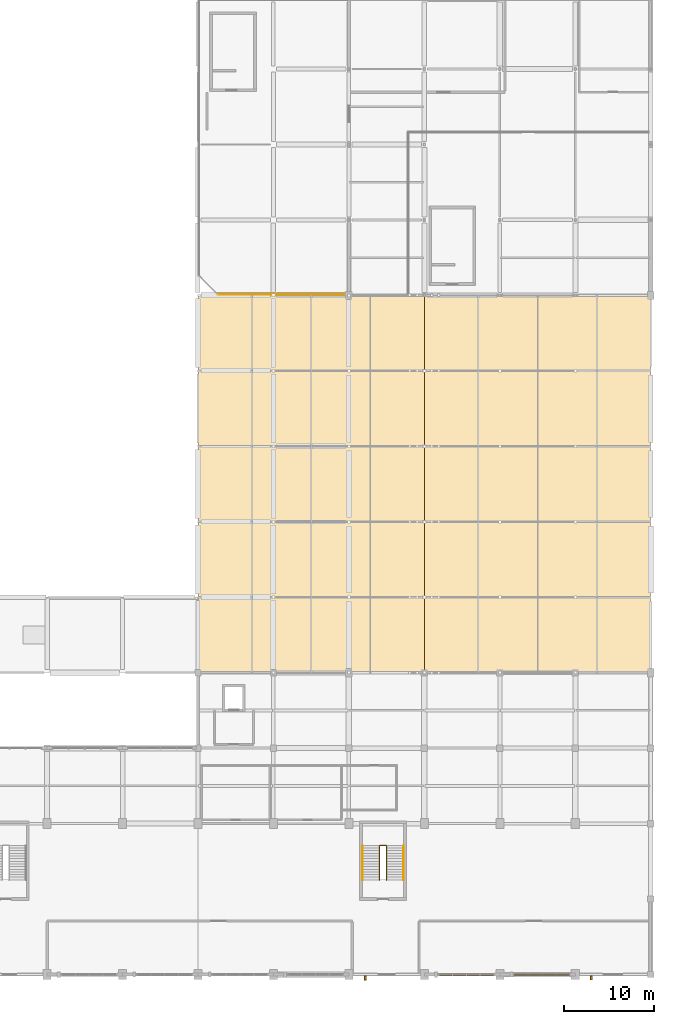
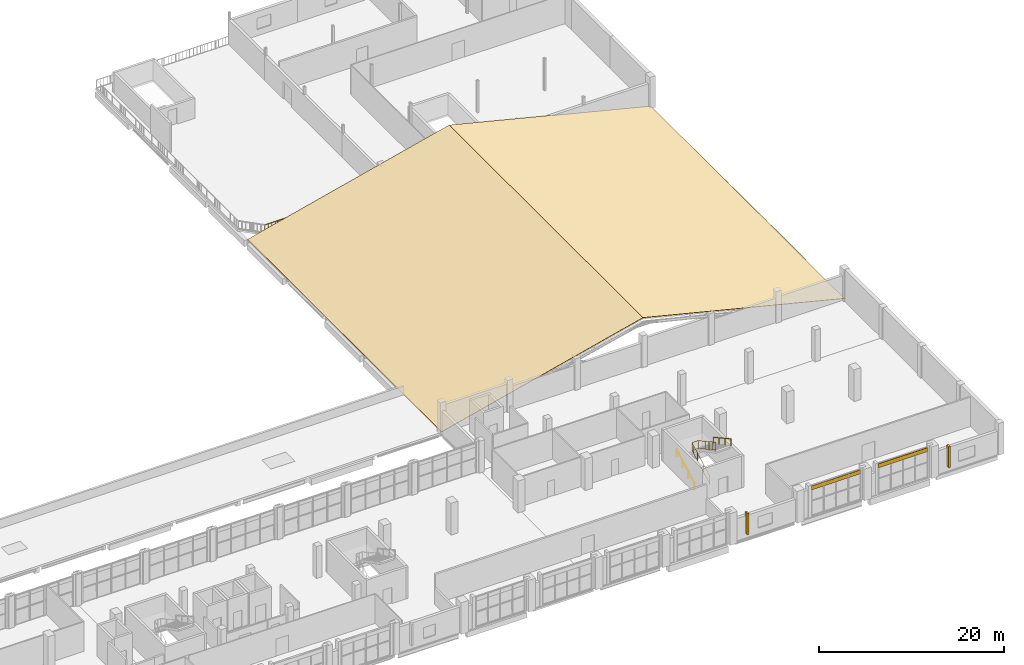
# One storey, part 63 of 64: 4 coverings, 4 railings, 2 shading devices.
"""IFC4 building model written with IfcOpenShell, lengths in metres."""

from ifc_helpers import new_model, si_unit, derived_unit, direction, frame, origin, origin_2d, place, context, subcontext, project, spatial, polyline, rectangle, circle, outline, extrude, material, layer, layer_set, type_object, element, save


model = new_model("IFC4")

# Units and contexts
model_context = context("Model", 3, precision=1e-05, world=origin(), true_north=direction((0.0, 1.0)))
body_context = subcontext(model_context, "Body", "Model", "MODEL_VIEW")
ifc_project = project(units=[si_unit("LENGTHUNIT", "METRE"), si_unit("AREAUNIT", "SQUARE_METRE"), si_unit("VOLUMEUNIT", "CUBIC_METRE"), si_unit("PLANEANGLEUNIT", "RADIAN"), si_unit("MASSUNIT", "GRAM", prefix="KILO"), derived_unit("THERMALTRANSMITTANCEUNIT", [(si_unit("POWERUNIT", "WATT"), 1), (si_unit("LENGTHUNIT", "METRE"), -2), (si_unit("THERMODYNAMICTEMPERATUREUNIT", "KELVIN"), -1)])], contexts=[model_context])

# Site, building, storey
site_placement = place(None, origin())
site = spatial("IfcSite", under=ifc_project, at=site_placement, CompositionType="ELEMENT")
building_placement = place(site_placement, origin())
building = spatial("IfcBuilding", under=site, at=building_placement, Name="Barrovel Congress Hotel", CompositionType="ELEMENT")
storey_placement = place(building_placement, frame((0.0, 0.0, 14.10009765625)))
storey = spatial("IfcBuildingStorey", under=building, at=storey_placement, Name="L03", CompositionType="ELEMENT", Elevation=14.10009765625)

# Coverings
ifc_material_1 = material(Name="Glazed Terracotta Spandrel", Category="masonry")
ifc_layer_1 = layer(ifc_material_1, 0.1201171875)
ifc_layer_set_1 = layer_set([ifc_layer_1], Name="Glazed Terracotta Spandrel")
covering_type_1 = type_object("IfcCoveringType", Name="COV-CLAD-TERRA", PredefinedType="CLADDING", material=ifc_layer_set_1)
for number, where, z_axis, x_axis, name in (
    (1, (155.8798828125, 4.14990234375, 3.409912109375), (0.0, 0.0, 1.0), (1.0, 0.0, 0.0), "CLAD:L03:S:18"),
    (2, (164.280029296875, 4.14990234375, 3.409912109375), (0.0, 0.0, 1.0), (1.0, 0.0, 0.0), "CLAD:L03:S:19"),
):
    element("IfcCovering", number, at=place(storey_placement, frame(where, z_axis=z_axis, x_axis=x_axis)), inside=storey, type_object=covering_type_1, Name=name, PredefinedType="CLADDING", context=body_context, shape_type="SweptSolid", body=[
        extrude(rectangle(XDim=6.1201171875, YDim=0.1201171875, at=origin_2d()), origin(), (0.0, 0.0, 1.0), 0.52001953125),
    ])
ifc_material_2 = material(Name="Terracotta Clay Tile Finish", Category="masonry")
ifc_layer_2 = layer(ifc_material_2, 0.050048828125)
ifc_layer_set_2 = layer_set([ifc_layer_2], Name="Terracotta Clay Tile Finish")
covering_type_2 = type_object("IfcCoveringType", Name="COV-ROOFING-TILE", PredefinedType="ROOFING", material=ifc_layer_set_2)
for number, where, z_axis, x_axis, name in (
    (3, (126.0, 37.800048828125, 0.0498046875), (-0.241927319646, 0.0, 0.970294373893), (0.970294373893, 0.0, 0.241927319646), "COV:V2-ROOF-W"),
    (4, (151.199951171875, 37.800048828125, 6.3330078125), (0.241927319646, 0.0, 0.970294373893), (0.970294373893, 0.0, -0.241927319646), "COV:V2-ROOF-E"),
):
    element("IfcCovering", number, at=place(storey_placement, frame(where, z_axis=z_axis, x_axis=x_axis)), inside=storey, type_object=covering_type_2, Name=name, PredefinedType="ROOFING", context=body_context, shape_type="SweptSolid", body=[
        extrude(outline(polyline([(0.0, 0.0), (25.97144933527765, 0.0), (25.97144933527765, 42.0), (0.0, 42.0), (0.0, 0.0)])), origin(), (0.0, 0.0, -1.0), 0.050048828125),
    ])

# Railings
ifc_material_3 = material(Name="Painted Architectural Steel", Category="steel")
ifc_layer_3 = layer(ifc_material_3, 0.080078125)
ifc_layer_set_3 = layer_set([ifc_layer_3], Name="Painted Architectural Steel")
railing_type_1 = type_object("IfcRailingType", Name="RAIL-GUARD-EXT", PredefinedType="BALUSTRADE", material=ifc_layer_set_3)
railing_1_placement = place(storey_placement, frame((142.699951171875, 79.89990234375, 0.0)))
element("IfcRailing", 5, at=railing_1_placement, inside=storey, type_object=railing_type_1, Name="Spa Roof Terrace Guardrail 1", PredefinedType="BALUSTRADE", context=body_context, shape_type="SweptSolid", body=[
    extrude(circle(Radius=0.02392578125, at=origin_2d()), frame((0.0, 0.0, 1.11572265625), z_axis=(-1.0, 0.0, 0.0), x_axis=(0.0, -1.0, 0.0)), (0.0, 0.0, 1.0), 14.5),
    extrude(circle(Radius=0.02392578125, at=origin_2d()), frame((0.0, 0.0, 0.10009765625), z_axis=(-1.0, 0.0, 0.0), x_axis=(0.0, -1.0, 0.0)), (0.0, 0.0, 1.0), 14.5),
    extrude(circle(Radius=0.010009765625, at=origin_2d()), frame((-0.439453125, 0.0, 0.10009765625)), (0.0, 0.0, 1.0), 0.99169921875),
    extrude(circle(Radius=0.010009765625, at=origin_2d()), frame((-0.87890625, 0.0, 0.10009765625)), (0.0, 0.0, 1.0), 0.99169921875),
    extrude(circle(Radius=0.010009765625, at=origin_2d()), frame((-1.318115234375, 0.0, 0.10009765625)), (0.0, 0.0, 1.0), 0.99169921875),
    extrude(circle(Radius=0.010009765625, at=origin_2d()), frame((-1.757568359375, 0.0, 0.10009765625)), (0.0, 0.0, 1.0), 0.99169921875),
    extrude(circle(Radius=0.010009765625, at=origin_2d()), frame((-2.197021484375, 0.0, 0.10009765625)), (0.0, 0.0, 1.0), 0.99169921875),
    extrude(circle(Radius=0.010009765625, at=origin_2d()), frame((-2.636474609375, 0.0, 0.10009765625)), (0.0, 0.0, 1.0), 0.99169921875),
    extrude(circle(Radius=0.010009765625, at=origin_2d()), frame((-3.07568359375, 0.0, 0.10009765625)), (0.0, 0.0, 1.0), 0.99169921875),
    extrude(circle(Radius=0.010009765625, at=origin_2d()), frame((-3.51513671875, 0.0, 0.10009765625)), (0.0, 0.0, 1.0), 0.99169921875),
    extrude(circle(Radius=0.010009765625, at=origin_2d()), frame((-3.95458984375, 0.0, 0.10009765625)), (0.0, 0.0, 1.0), 0.99169921875),
    extrude(circle(Radius=0.010009765625, at=origin_2d()), frame((-4.39404296875, 0.0, 0.10009765625)), (0.0, 0.0, 1.0), 0.99169921875),
    extrude(circle(Radius=0.010009765625, at=origin_2d()), frame((-4.833251953125, 0.0, 0.10009765625)), (0.0, 0.0, 1.0), 0.99169921875),
    extrude(circle(Radius=0.010009765625, at=origin_2d()), frame((-5.272705078125, 0.0, 0.10009765625)), (0.0, 0.0, 1.0), 0.99169921875),
    extrude(circle(Radius=0.010009765625, at=origin_2d()), frame((-5.712158203125, 0.0, 0.10009765625)), (0.0, 0.0, 1.0), 0.99169921875),
    extrude(circle(Radius=0.010009765625, at=origin_2d()), frame((-6.151611328125, 0.0, 0.10009765625)), (0.0, 0.0, 1.0), 0.99169921875),
    extrude(circle(Radius=0.010009765625, at=origin_2d()), frame((-6.5908203125, 0.0, 0.10009765625)), (0.0, 0.0, 1.0), 0.99169921875),
    extrude(circle(Radius=0.010009765625, at=origin_2d()), frame((-7.0302734375, 0.0, 0.10009765625)), (0.0, 0.0, 1.0), 0.99169921875),
    extrude(circle(Radius=0.010009765625, at=origin_2d()), frame((-7.4697265625, 0.0, 0.10009765625)), (0.0, 0.0, 1.0), 0.99169921875),
    extrude(circle(Radius=0.010009765625, at=origin_2d()), frame((-7.9091796875, 0.0, 0.10009765625)), (0.0, 0.0, 1.0), 0.99169921875),
    extrude(circle(Radius=0.010009765625, at=origin_2d()), frame((-8.348388671875, 0.0, 0.10009765625)), (0.0, 0.0, 1.0), 0.99169921875),
    extrude(circle(Radius=0.010009765625, at=origin_2d()), frame((-8.787841796875, 0.0, 0.10009765625)), (0.0, 0.0, 1.0), 0.99169921875),
    extrude(circle(Radius=0.010009765625, at=origin_2d()), frame((-9.227294921875, 0.0, 0.10009765625)), (0.0, 0.0, 1.0), 0.99169921875),
    extrude(circle(Radius=0.010009765625, at=origin_2d()), frame((-9.666748046875, 0.0, 0.10009765625)), (0.0, 0.0, 1.0), 0.99169921875),
    extrude(circle(Radius=0.010009765625, at=origin_2d()), frame((-10.10595703125, 0.0, 0.10009765625)), (0.0, 0.0, 1.0), 0.99169921875),
    extrude(circle(Radius=0.010009765625, at=origin_2d()), frame((-10.54541015625, 0.0, 0.10009765625)), (0.0, 0.0, 1.0), 0.99169921875),
    extrude(circle(Radius=0.010009765625, at=origin_2d()), frame((-10.98486328125, 0.0, 0.10009765625)), (0.0, 0.0, 1.0), 0.99169921875),
    extrude(circle(Radius=0.010009765625, at=origin_2d()), frame((-11.42431640625, 0.0, 0.10009765625)), (0.0, 0.0, 1.0), 0.99169921875),
    extrude(circle(Radius=0.010009765625, at=origin_2d()), frame((-11.863525390625, 0.0, 0.10009765625)), (0.0, 0.0, 1.0), 0.99169921875),
    extrude(circle(Radius=0.010009765625, at=origin_2d()), frame((-12.302978515625, 0.0, 0.10009765625)), (0.0, 0.0, 1.0), 0.99169921875),
    extrude(circle(Radius=0.010009765625, at=origin_2d()), frame((-12.742431640625, 0.0, 0.10009765625)), (0.0, 0.0, 1.0), 0.99169921875),
    extrude(circle(Radius=0.010009765625, at=origin_2d()), frame((-13.181884765625, 0.0, 0.10009765625)), (0.0, 0.0, 1.0), 0.99169921875),
    extrude(circle(Radius=0.010009765625, at=origin_2d()), frame((-13.62109375, 0.0, 0.10009765625)), (0.0, 0.0, 1.0), 0.99169921875),
    extrude(circle(Radius=0.010009765625, at=origin_2d()), frame((-14.060546875, 0.0, 0.10009765625)), (0.0, 0.0, 1.0), 0.99169921875),
    extrude(circle(Radius=0.02099609375, at=origin_2d()), origin(), (0.0, 0.0, 1.0), 1.091796875),
    extrude(circle(Radius=0.02099609375, at=origin_2d()), frame((-1.611083984375, 0.0, 0.0)), (0.0, 0.0, 1.0), 1.091796875),
    extrude(circle(Radius=0.02099609375, at=origin_2d()), frame((-3.22216796875, 0.0, 0.0)), (0.0, 0.0, 1.0), 1.091796875),
    extrude(circle(Radius=0.02099609375, at=origin_2d()), frame((-4.833251953125, 0.0, 0.0)), (0.0, 0.0, 1.0), 1.091796875),
    extrude(circle(Radius=0.02099609375, at=origin_2d()), frame((-6.4443359375, 0.0, 0.0)), (0.0, 0.0, 1.0), 1.091796875),
    extrude(circle(Radius=0.02099609375, at=origin_2d()), frame((-8.0556640625, 0.0, 0.0)), (0.0, 0.0, 1.0), 1.091796875),
    extrude(circle(Radius=0.02099609375, at=origin_2d()), frame((-9.666748046875, 0.0, 0.0)), (0.0, 0.0, 1.0), 1.091796875),
    extrude(circle(Radius=0.02099609375, at=origin_2d()), frame((-11.27783203125, 0.0, 0.0)), (0.0, 0.0, 1.0), 1.091796875),
    extrude(circle(Radius=0.02099609375, at=origin_2d()), frame((-12.888916015625, 0.0, 0.0)), (0.0, 0.0, 1.0), 1.091796875),
    extrude(circle(Radius=0.02099609375, at=origin_2d()), frame((-14.5, 0.0, 0.0)), (0.0, 0.0, 1.0), 1.091796875),
])
ifc_layer_4 = layer(ifc_material_3, 0.070068359375)
ifc_layer_set_4 = layer_set([ifc_layer_4], Name="Painted Architectural Steel")
railing_type_2 = type_object("IfcRailingType", Name="RAIL-GUARD-INT", PredefinedType="BALUSTRADE", material=ifc_layer_set_4)
railing_2_placement = place(storey_placement, frame((146.219970703125, 14.739990234375, 0.0)))
element("IfcRailing", 6, at=railing_2_placement, inside=storey, type_object=railing_type_2, Name="STAIR:XS-04:L03:GR-W", PredefinedType="BALUSTRADE", context=body_context, shape_type="SweptSolid", body=[
    extrude(circle(Radius=0.02392578125, at=origin_2d()), frame((0.0, 0.0, 1.11572265625), z_axis=(0.0, 0.875521142395, 0.483179810442), x_axis=(-1.0, 0.0, 0.0)), (0.0, 0.0, 1.0), 4.345947265625),
    extrude(circle(Radius=0.02392578125, at=origin_2d()), frame((0.0, 0.0, 0.10009765625), z_axis=(0.0, 0.875521142395, 0.483179810442), x_axis=(-1.0, 0.0, 0.0)), (0.0, 0.0, 1.0), 4.345947265625),
    extrude(circle(Radius=0.010009765625, at=origin_2d()), frame((0.0, 0.38037109375, 0.31005859375)), (0.0, 0.0, 1.0), 0.99169921875),
    extrude(circle(Radius=0.010009765625, at=origin_2d()), frame((0.0, 0.760986328125, 0.52001953125)), (0.0, 0.0, 1.0), 0.99169921875),
    extrude(circle(Radius=0.010009765625, at=origin_2d()), frame((0.0, 1.1416015625, 0.72998046875)), (0.0, 0.0, 1.0), 0.99169921875),
    extrude(circle(Radius=0.010009765625, at=origin_2d()), frame((0.0, 1.52197265625, 0.93994140625)), (0.0, 0.0, 1.0), 0.99169921875),
    extrude(circle(Radius=0.010009765625, at=origin_2d()), frame((0.0, 1.90234375, 1.14990234375)), (0.0, 0.0, 1.0), 0.99169921875),
    extrude(circle(Radius=0.010009765625, at=origin_2d()), frame((0.0, 2.282958984375, 1.35986328125)), (0.0, 0.0, 1.0), 0.99169921875),
    extrude(circle(Radius=0.010009765625, at=origin_2d()), frame((0.0, 2.66357421875, 1.56982421875)), (0.0, 0.0, 1.0), 0.99169921875),
    extrude(circle(Radius=0.010009765625, at=origin_2d()), frame((0.0, 3.0439453125, 1.77978515625)), (0.0, 0.0, 1.0), 0.99169921875),
    extrude(circle(Radius=0.010009765625, at=origin_2d()), frame((0.0, 3.42431640625, 1.989990234375)), (0.0, 0.0, 1.0), 0.99169921875),
    extrude(circle(Radius=0.02392578125, at=origin_2d()), frame((0.0, 3.804931640625, 3.2158203125), z_axis=(1.0, 0.0, 0.0), x_axis=(0.0, 1.0, 0.0)), (0.0, 0.0, 1.0), 0.760009765625),
    extrude(circle(Radius=0.02392578125, at=origin_2d()), frame((0.0, 3.804931640625, 2.199951171875), z_axis=(1.0, 0.0, 0.0), x_axis=(0.0, 1.0, 0.0)), (0.0, 0.0, 1.0), 0.760009765625),
    extrude(circle(Radius=0.010009765625, at=origin_2d()), frame((0.3798828125, 3.804931640625, 2.199951171875)), (0.0, 0.0, 1.0), 0.99169921875),
    extrude(circle(Radius=0.02392578125, at=origin_2d()), frame((0.760009765625, 3.804931640625, 3.2158203125), z_axis=(0.0, -0.875497377122, 0.483222870581), x_axis=(1.0, 0.0, 0.0)), (0.0, 0.0, 1.0), 4.345947265625),
    extrude(circle(Radius=0.02392578125, at=origin_2d()), frame((0.760009765625, 3.804931640625, 2.199951171875), z_axis=(0.0, -0.875497377122, 0.483222870581), x_axis=(1.0, 0.0, 0.0)), (0.0, 0.0, 1.0), 4.345947265625),
    extrude(circle(Radius=0.010009765625, at=origin_2d()), frame((0.760009765625, 3.42431640625, 2.409912109375)), (0.0, 0.0, 1.0), 0.99169921875),
    extrude(circle(Radius=0.010009765625, at=origin_2d()), frame((0.760009765625, 3.0439453125, 2.619873046875)), (0.0, 0.0, 1.0), 0.99169921875),
    extrude(circle(Radius=0.010009765625, at=origin_2d()), frame((0.760009765625, 2.66357421875, 2.829833984375)), (0.0, 0.0, 1.0), 0.99169921875),
    extrude(circle(Radius=0.010009765625, at=origin_2d()), frame((0.760009765625, 2.282958984375, 3.039794921875)), (0.0, 0.0, 1.0), 0.99169921875),
    extrude(circle(Radius=0.010009765625, at=origin_2d()), frame((0.760009765625, 1.90234375, 3.25)), (0.0, 0.0, 1.0), 0.99169921875),
    extrude(circle(Radius=0.010009765625, at=origin_2d()), frame((0.760009765625, 1.52197265625, 3.4599609375)), (0.0, 0.0, 1.0), 0.99169921875),
    extrude(circle(Radius=0.010009765625, at=origin_2d()), frame((0.760009765625, 1.1416015625, 3.669921875)), (0.0, 0.0, 1.0), 0.99169921875),
    extrude(circle(Radius=0.010009765625, at=origin_2d()), frame((0.760009765625, 0.760986328125, 3.8798828125)), (0.0, 0.0, 1.0), 0.99169921875),
    extrude(circle(Radius=0.010009765625, at=origin_2d()), frame((0.760009765625, 0.38037109375, 4.08984375)), (0.0, 0.0, 1.0), 0.99169921875),
    extrude(circle(Radius=0.02099609375, at=origin_2d()), origin(), (0.0, 0.0, 1.0), 1.091796875),
    extrude(circle(Radius=0.02099609375, at=origin_2d()), frame((0.0, 1.268310546875, 0.699951171875)), (0.0, 0.0, 1.0), 1.091796875),
    extrude(circle(Radius=0.02099609375, at=origin_2d()), frame((0.0, 2.53662109375, 1.39990234375)), (0.0, 0.0, 1.0), 1.091796875),
    extrude(circle(Radius=0.02099609375, at=origin_2d()), frame((0.0, 3.804931640625, 2.099853515625)), (0.0, 0.0, 1.0), 1.091796875),
    extrude(circle(Radius=0.02099609375, at=origin_2d()), frame((0.760009765625, 3.804931640625, 2.099853515625)), (0.0, 0.0, 1.0), 1.091796875),
    extrude(circle(Radius=0.02099609375, at=origin_2d()), frame((0.760009765625, 2.53662109375, 2.7998046875)), (0.0, 0.0, 1.0), 1.091796875),
    extrude(circle(Radius=0.02099609375, at=origin_2d()), frame((0.760009765625, 1.268310546875, 3.5)), (0.0, 0.0, 1.0), 1.091796875),
    extrude(circle(Radius=0.02099609375, at=origin_2d()), frame((0.760009765625, 0.0, 4.199951171875)), (0.0, 0.0, 1.0), 1.091796875),
])
ifc_material_4 = material(Name="Brushed Stainless Steel", Category="steel")
ifc_layer_5 = layer(ifc_material_4, 0.050048828125)
ifc_layer_set_5 = layer_set([ifc_layer_5], Name="Brushed Stainless Steel")
railing_type_3 = type_object("IfcRailingType", Name="RAIL-HAND", PredefinedType="HANDRAIL", material=ifc_layer_set_5)
railing_3_placement = place(storey_placement, frame((144.320068359375, 14.739990234375, 0.0)))
element("IfcRailing", 7, at=railing_3_placement, inside=storey, type_object=railing_type_3, Name="STAIR:XS-04:L03:HR-1", PredefinedType="HANDRAIL", context=body_context, shape_type="SweptSolid", body=[
    extrude(circle(Radius=0.02392578125, at=origin_2d()), frame((0.0, 0.0, 0.89599609375), z_axis=(0.0, 0.875521142395, 0.483179810442), x_axis=(-1.0, 0.0, 0.0)), (0.0, 0.0, 1.0), 4.345947265625),
    extrude(circle(Radius=0.02099609375, at=origin_2d()), origin(), (0.0, 0.0, 1.0), 0.871826171875),
    extrude(circle(Radius=0.02099609375, at=origin_2d()), frame((0.0, 1.268310546875, 0.699951171875)), (0.0, 0.0, 1.0), 0.871826171875),
    extrude(circle(Radius=0.02099609375, at=origin_2d()), frame((0.0, 2.53662109375, 1.39990234375)), (0.0, 0.0, 1.0), 0.871826171875),
    extrude(circle(Radius=0.02099609375, at=origin_2d()), frame((0.0, 3.804931640625, 2.099853515625)), (0.0, 0.0, 1.0), 0.871826171875),
])
railing_4_placement = place(storey_placement, frame((148.8798828125, 18.544921875, 2.099853515625)))
element("IfcRailing", 8, at=railing_4_placement, inside=storey, type_object=railing_type_3, Name="STAIR:XS-04:L03:HR-2", PredefinedType="HANDRAIL", context=body_context, shape_type="SweptSolid", body=[
    extrude(circle(Radius=0.02392578125, at=origin_2d()), frame((0.0, 0.0, 0.89599609375), z_axis=(0.0, -0.875497377122, 0.483222870581), x_axis=(1.0, 0.0, 0.0)), (0.0, 0.0, 1.0), 4.345947265625),
    extrude(circle(Radius=0.02099609375, at=origin_2d()), origin(), (0.0, 0.0, 1.0), 0.871826171875),
    extrude(circle(Radius=0.02099609375, at=origin_2d()), frame((0.0, -1.268310546875, 0.699951171875)), (0.0, 0.0, 1.0), 0.871826171875),
    extrude(circle(Radius=0.02099609375, at=origin_2d()), frame((0.0, -2.53662109375, 1.400146484375)), (0.0, 0.0, 1.0), 0.871826171875),
    extrude(circle(Radius=0.02099609375, at=origin_2d()), frame((0.0, -3.804931640625, 2.10009765625)), (0.0, 0.0, 1.0), 0.871826171875),
])

# Shading devices
ifc_material_5 = material(Name="Fired Clay Brick Masonry", Category="masonry")
shading_device_type = type_object("IfcShadingDeviceType", Name="SHD-FIN", PredefinedType="USERDEFINED", material=ifc_material_5)
for number, where, z_axis, x_axis, name in (
    (9, (144.60009765625, 3.820068359375, 0.69970703125), (0.0, 0.0, 1.0), (1.0, 0.0, 0.0), "FIN:L03:S:17"),
    (10, (169.800048828125, 3.820068359375, 0.69970703125), (0.0, 0.0, 1.0), (1.0, 0.0, 0.0), "FIN:L03:S:20"),
):
    element("IfcShadingDevice", number, at=place(storey_placement, frame(where, z_axis=z_axis, x_axis=x_axis)), inside=storey, type_object=shading_device_type, Name=name, ObjectType="SOLAR FIN", PredefinedType="USERDEFINED", context=body_context, shape_type="SweptSolid", body=[
        extrude(rectangle(XDim=0.219970703125, YDim=0.449951171875, at=origin_2d()), origin(), (0.0, 0.0, 1.0), 2.800048828125),
    ])

save(model, "model.ifc")
